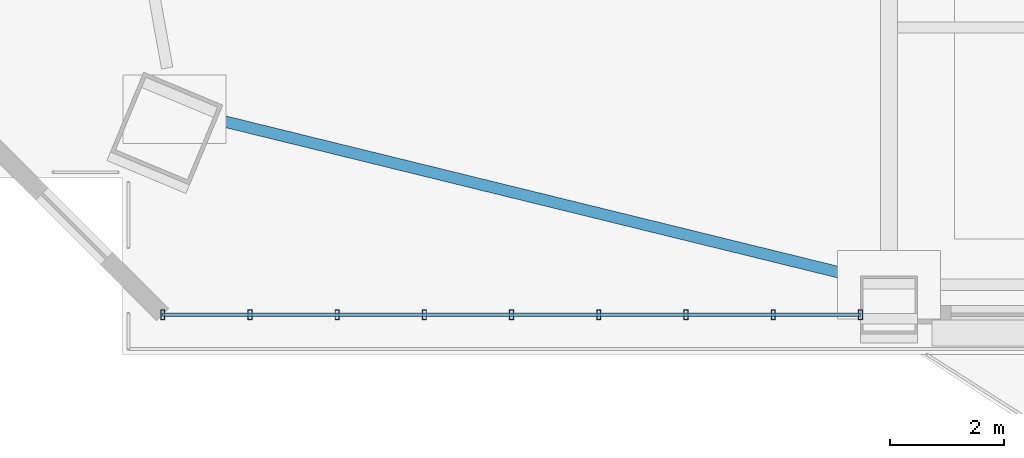
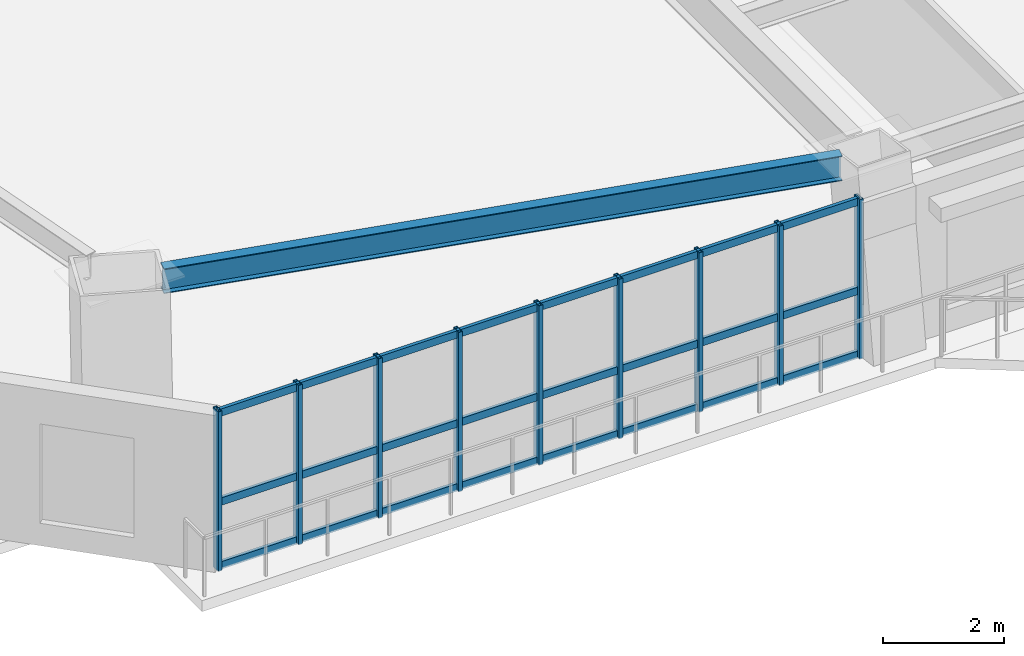
# One storey, part 2 of 16: 12 members, 1 beam, 1 element without a shape of its own.
"""IFC4 building model written with IfcOpenShell, lengths in metres."""

from ifc_helpers import new_model, si_unit, direction, frame, origin, origin_2d, place, context, subcontext, project, spatial, hollow_rectangle, i_section, extrude, source, transform, mapped, material, layer, layer_set, material_profile, profile_set, type_object, element, aggregate, save


model = new_model("IFC4")

# Units and contexts
model_context = context("Model", 3, precision=1e-05, world=origin(), true_north=direction((0.0, 1.0)))
body_context = subcontext(model_context, "Body", "Model", "MODEL_VIEW")
ifc_project = project(units=[si_unit("LENGTHUNIT", "METRE"), si_unit("AREAUNIT", "SQUARE_METRE"), si_unit("VOLUMEUNIT", "CUBIC_METRE"), si_unit("PLANEANGLEUNIT", "RADIAN"), si_unit("MASSUNIT", "GRAM", prefix="KILO")], contexts=[model_context])

# Site, building, storey
site_placement = place(None, origin())
site = spatial("IfcSite", under=ifc_project, at=site_placement, CompositionType="ELEMENT")
building_placement = place(site_placement, origin())
building = spatial("IfcBuilding", under=site, at=building_placement, Name="Giltprow Tower", CompositionType="ELEMENT")
storey_placement = place(building_placement, frame((0.0, 0.0, 83.5)))
storey = spatial("IfcBuildingStorey", under=building, at=storey_placement, Name="L20", CompositionType="ELEMENT", Elevation=83.5)

# Beam
ifc_material_1 = material(Name="Structural steel Q355B", Category="steel")
ifc_material_profile_1 = material_profile(ifc_material_1, i_section(OverallWidth=0.199951171875, OverallDepth=0.5, WebThickness=0.010009765625, FlangeThickness=0.01611328125, at=origin_2d()), Name="HN 500x200x10x16")
ifc_profile_set_1 = profile_set([ifc_material_profile_1], Name="Structural steel Q355B")
beam_type = type_object("IfcBeamType", Name="BM-SPAN-HN500", PredefinedType="SPANDREL", material=ifc_profile_set_1)
shared_shape_1 = source(origin(), body_context, "Body", "SweptSolid", [
    extrude(i_section(OverallWidth=0.199951171875, OverallDepth=0.5, WebThickness=0.010009765625, FlangeThickness=0.01611328125, at=origin_2d()), origin(), (0.0, 0.0, 1.0), 11.656005859375),
])
beam_placement = place(storey_placement, frame((8.05908203125, 8.8310546875, 3.429931640625), z_axis=(0.971161357058, -0.238423192154, 0.0), x_axis=(0.238423192154, 0.971161357058, 0.0)))
element("IfcBeam", 1, at=beam_placement, inside=storey, type_object=beam_type, Name="L20 Perimeter Spandrel Beam MC_SW-S1", PredefinedType="SPANDREL", context=body_context, shape_type="MappedRepresentation", body=[
    mapped(shared_shape_1, transform((0.0, 0.0, 0.0), x_axis=(1.0, 0.0, 0.0), y_axis=(0.0, 1.0, 0.0), z_axis=(0.0, 0.0, 1.0), scale=1.0)),
])

# Curtain wall, members
ifc_material_2 = material(Name="Anodized bronze", Category="metal")
ifc_layer = layer(ifc_material_2, 0.179931640625, Name="Anodized bronze")
ifc_layer_set = layer_set([ifc_layer], Name="Anodized bronze")
curtain_wall_type = type_object("IfcCurtainWallType", Name="CW-OFF-RECESSED", PredefinedType="NOTDEFINED", material=ifc_layer_set)
curtain_wall_placement = place(storey_placement, origin())
curtain_wall = element("IfcCurtainWall", 2, at=curtain_wall_placement, inside=storey, type_object=curtain_wall_type, Name="L20 South Recessed Curtain Wall 1", PredefinedType="NOTDEFINED")
ifc_material_profile_2 = material_profile(ifc_material_2, hollow_rectangle(XDim=0.074951171875, YDim=0.179931640625, WallThickness=0.008056640625, at=origin_2d()), Name="RHS 180x75x8")
ifc_profile_set_2 = profile_set([ifc_material_profile_2], Name="Anodized bronze")
member_type_1 = type_object("IfcMemberType", Name="CW-MULLION-180x75", PredefinedType="MULLION", material=ifc_profile_set_2)
shared_shape_2 = source(origin(), body_context, "Body", "SweptSolid", [
    extrude(hollow_rectangle(XDim=0.074951171875, YDim=0.179931640625, WallThickness=0.008056640625, at=origin_2d()), origin(), (0.0, 0.0, 1.0), 3.215087890625),
])
member_1_placement = place(storey_placement, frame((7.135986328125, 5.408935546875, -0.02001953125), z_axis=(0.0, 0.0, 1.0), x_axis=(1.0, 0.0, 0.0)))
member_1 = element("IfcMember", 3, at=member_1_placement, type_object=member_type_1, Name="L20 South Recessed Curtain Wall 1 Mullion 1", PredefinedType="MULLION", context=body_context, shape_type="MappedRepresentation", body=[
    mapped(shared_shape_2, transform((0.0, 0.0, 0.0), x_axis=(1.0, 0.0, 0.0), y_axis=(0.0, 1.0, 0.0), z_axis=(0.0, 0.0, 1.0), scale=1.0)),
])
member_2_placement = place(storey_placement, frame((8.6630859375, 5.408935546875, -0.02001953125), z_axis=(0.0, 0.0, 1.0), x_axis=(1.0, 0.0, 0.0)))
member_2 = element("IfcMember", 4, at=member_2_placement, type_object=member_type_1, Name="L20 South Recessed Curtain Wall 1 Mullion 2", PredefinedType="MULLION", context=body_context, shape_type="MappedRepresentation", body=[
    mapped(shared_shape_2, transform((0.0, 0.0, 0.0), x_axis=(1.0, 0.0, 0.0), y_axis=(0.0, 1.0, 0.0), z_axis=(0.0, 0.0, 1.0), scale=1.0)),
])
member_3_placement = place(storey_placement, frame((10.18994140625, 5.408935546875, -0.02001953125), z_axis=(0.0, 0.0, 1.0), x_axis=(1.0, 0.0, 0.0)))
member_3 = element("IfcMember", 5, at=member_3_placement, type_object=member_type_1, Name="L20 South Recessed Curtain Wall 1 Mullion 3", PredefinedType="MULLION", context=body_context, shape_type="MappedRepresentation", body=[
    mapped(shared_shape_2, transform((0.0, 0.0, 0.0), x_axis=(1.0, 0.0, 0.0), y_axis=(0.0, 1.0, 0.0), z_axis=(0.0, 0.0, 1.0), scale=1.0)),
])
member_4_placement = place(storey_placement, frame((11.716064453125, 5.408935546875, -0.02001953125), z_axis=(0.0, 0.0, 1.0), x_axis=(1.0, 0.0, 0.0)))
member_4 = element("IfcMember", 6, at=member_4_placement, type_object=member_type_1, Name="L20 South Recessed Curtain Wall 1 Mullion 4", PredefinedType="MULLION", context=body_context, shape_type="MappedRepresentation", body=[
    mapped(shared_shape_2, transform((0.0, 0.0, 0.0), x_axis=(1.0, 0.0, 0.0), y_axis=(0.0, 1.0, 0.0), z_axis=(0.0, 0.0, 1.0), scale=1.0)),
])
member_5_placement = place(storey_placement, frame((13.242919921875, 5.408935546875, -0.02001953125), z_axis=(0.0, 0.0, 1.0), x_axis=(1.0, 0.0, 0.0)))
member_5 = element("IfcMember", 7, at=member_5_placement, type_object=member_type_1, Name="L20 South Recessed Curtain Wall 1 Mullion 5", PredefinedType="MULLION", context=body_context, shape_type="MappedRepresentation", body=[
    mapped(shared_shape_2, transform((0.0, 0.0, 0.0), x_axis=(1.0, 0.0, 0.0), y_axis=(0.0, 1.0, 0.0), z_axis=(0.0, 0.0, 1.0), scale=1.0)),
])
member_6_placement = place(storey_placement, frame((14.77001953125, 5.408935546875, -0.02001953125), z_axis=(0.0, 0.0, 1.0), x_axis=(1.0, 0.0, 0.0)))
member_6 = element("IfcMember", 8, at=member_6_placement, type_object=member_type_1, Name="L20 South Recessed Curtain Wall 1 Mullion 6", PredefinedType="MULLION", context=body_context, shape_type="MappedRepresentation", body=[
    mapped(shared_shape_2, transform((0.0, 0.0, 0.0), x_axis=(1.0, 0.0, 0.0), y_axis=(0.0, 1.0, 0.0), z_axis=(0.0, 0.0, 1.0), scale=1.0)),
])
member_7_placement = place(storey_placement, frame((16.297119140625, 5.408935546875, -0.02001953125), z_axis=(0.0, 0.0, 1.0), x_axis=(1.0, 0.0, 0.0)))
member_7 = element("IfcMember", 9, at=member_7_placement, type_object=member_type_1, Name="L20 South Recessed Curtain Wall 1 Mullion 7", PredefinedType="MULLION", context=body_context, shape_type="MappedRepresentation", body=[
    mapped(shared_shape_2, transform((0.0, 0.0, 0.0), x_axis=(1.0, 0.0, 0.0), y_axis=(0.0, 1.0, 0.0), z_axis=(0.0, 0.0, 1.0), scale=1.0)),
])
member_8_placement = place(storey_placement, frame((17.822998046875, 5.408935546875, -0.02001953125), z_axis=(0.0, 0.0, 1.0), x_axis=(1.0, 0.0, 0.0)))
member_8 = element("IfcMember", 10, at=member_8_placement, type_object=member_type_1, Name="L20 South Recessed Curtain Wall 1 Mullion 8", PredefinedType="MULLION", context=body_context, shape_type="MappedRepresentation", body=[
    mapped(shared_shape_2, transform((0.0, 0.0, 0.0), x_axis=(1.0, 0.0, 0.0), y_axis=(0.0, 1.0, 0.0), z_axis=(0.0, 0.0, 1.0), scale=1.0)),
])
member_9_placement = place(storey_placement, frame((19.35009765625, 5.408935546875, -0.02001953125), z_axis=(0.0, 0.0, 1.0), x_axis=(1.0, 0.0, 0.0)))
member_9 = element("IfcMember", 11, at=member_9_placement, type_object=member_type_1, Name="L20 South Recessed Curtain Wall 1 Mullion 9", PredefinedType="MULLION", context=body_context, shape_type="MappedRepresentation", body=[
    mapped(shared_shape_2, transform((0.0, 0.0, 0.0), x_axis=(1.0, 0.0, 0.0), y_axis=(0.0, 1.0, 0.0), z_axis=(0.0, 0.0, 1.0), scale=1.0)),
])
ifc_material_profile_3 = material_profile(ifc_material_2, hollow_rectangle(XDim=0.06494140625, YDim=0.14990234375, WallThickness=0.006103515625, at=origin_2d()), Name="RHS 150x65x6")
ifc_profile_set_3 = profile_set([ifc_material_profile_3], Name="Anodized bronze")
member_type_2 = type_object("IfcMemberType", Name="CW-TRANSOM-150x65", PredefinedType="USERDEFINED", material=ifc_profile_set_3)
shared_shape_3 = source(origin(), body_context, "Body", "SweptSolid", [
    extrude(hollow_rectangle(XDim=0.06494140625, YDim=0.14990234375, WallThickness=0.006103515625, at=origin_2d()), origin(), (0.0, 0.0, 1.0), 12.214111328125),
])
member_10_placement = place(storey_placement, frame((7.135986328125, 5.408935546875, 0.0400390625), z_axis=(1.0, 0.0, 0.0), x_axis=(0.0, 1.0, 0.0)))
member_10 = element("IfcMember", 12, at=member_10_placement, type_object=member_type_2, Name="L20 South Recessed Curtain Wall 1 Transom 1", ObjectType="TRANSOM", PredefinedType="USERDEFINED", context=body_context, shape_type="MappedRepresentation", body=[
    mapped(shared_shape_3, transform((0.0, 0.0, 0.0), x_axis=(1.0, 0.0, 0.0), y_axis=(0.0, 1.0, 0.0), z_axis=(0.0, 0.0, 1.0), scale=1.0)),
])
member_11_placement = place(storey_placement, frame((7.135986328125, 5.408935546875, 1.326904296875), z_axis=(1.0, 0.0, 0.0), x_axis=(0.0, 1.0, 0.0)))
member_11 = element("IfcMember", 13, at=member_11_placement, type_object=member_type_2, Name="L20 South Recessed Curtain Wall 1 Transom 2", ObjectType="TRANSOM", PredefinedType="USERDEFINED", context=body_context, shape_type="MappedRepresentation", body=[
    mapped(shared_shape_3, transform((0.0, 0.0, 0.0), x_axis=(1.0, 0.0, 0.0), y_axis=(0.0, 1.0, 0.0), z_axis=(0.0, 0.0, 1.0), scale=1.0)),
])
member_12_placement = place(storey_placement, frame((7.135986328125, 5.408935546875, 3.1201171875), z_axis=(1.0, 0.0, 0.0), x_axis=(0.0, 1.0, 0.0)))
member_12 = element("IfcMember", 14, at=member_12_placement, type_object=member_type_2, Name="L20 South Recessed Curtain Wall 1 Transom 3", ObjectType="TRANSOM", PredefinedType="USERDEFINED", context=body_context, shape_type="MappedRepresentation", body=[
    mapped(shared_shape_3, transform((0.0, 0.0, 0.0), x_axis=(1.0, 0.0, 0.0), y_axis=(0.0, 1.0, 0.0), z_axis=(0.0, 0.0, 1.0), scale=1.0)),
])
aggregate(curtain_wall, [member_1, member_2, member_3, member_4, member_5, member_6, member_7, member_8, member_9, member_10, member_11, member_12])

save(model, "model.ifc")
